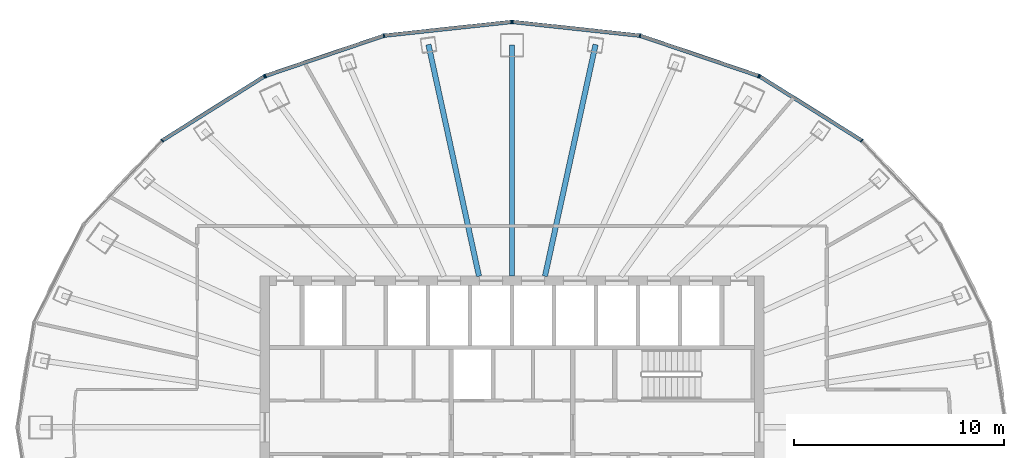
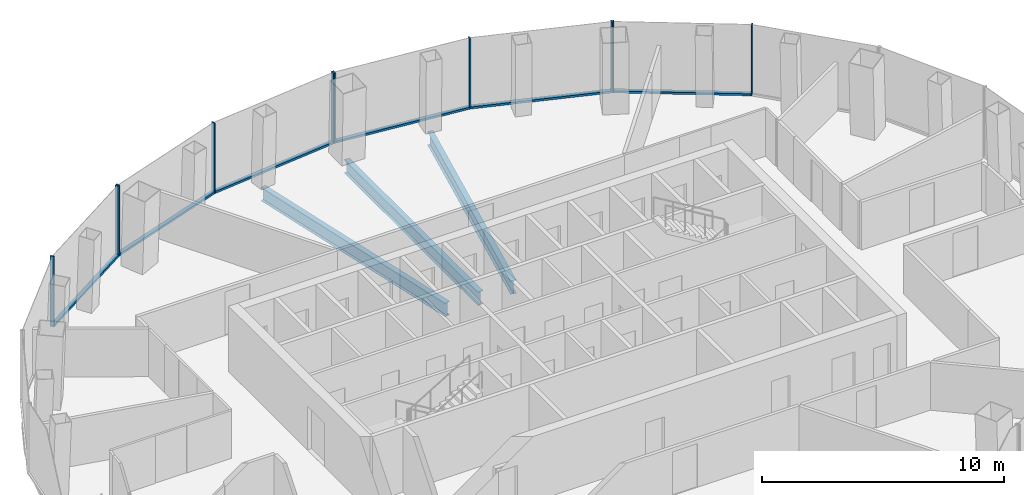
# One storey, part 7 of 13: 16 members, 3 beams, 4 elements without a shape of their own.
"""IFC4 building model written with IfcOpenShell, lengths in metres."""

from ifc_helpers import new_model, si_unit, direction, frame, origin, origin_2d, place, context, subcontext, project, spatial, rectangle, i_section, extrude, material, layer, layer_set, material_profile, profile_set, type_object, element, aggregate, save


model = new_model("IFC4")

# Units and contexts
model_context = context("Model", 3, precision=1e-05, world=origin(), true_north=direction((0.0, 1.0)))
body_context = subcontext(model_context, "Body", "Model", "MODEL_VIEW")
ifc_project = project(units=[si_unit("LENGTHUNIT", "METRE"), si_unit("AREAUNIT", "SQUARE_METRE"), si_unit("VOLUMEUNIT", "CUBIC_METRE"), si_unit("PLANEANGLEUNIT", "RADIAN"), si_unit("MASSUNIT", "GRAM", prefix="KILO")], contexts=[model_context])

# Site, building, storey
site_placement = place(None, origin())
site = spatial("IfcSite", under=ifc_project, at=site_placement, CompositionType="ELEMENT")
building_placement = place(site_placement, origin())
building = spatial("IfcBuilding", under=site, at=building_placement, Name="Siaravel Broadcast Tower", CompositionType="ELEMENT")
storey_placement = place(building_placement, frame((0.0, 0.0, 171.89990234375)))
storey = spatial("IfcBuildingStorey", under=building, at=storey_placement, Name="L41", CompositionType="ELEMENT", Elevation=171.89990234375)

# Beams
ifc_material_1 = material(Name="Steel S355", Category="steel")
ifc_material_profile_1 = material_profile(ifc_material_1, i_section(OverallWidth=0.2529296875, OverallDepth=0.677978515625, WebThickness=0.01171875, FlangeThickness=0.01611328125, FilletRadius=0.01513671875, at=origin_2d()))
ifc_profile_set_1 = profile_set([ifc_material_profile_1], Name="Steel S355")
beam_type = type_object("IfcBeamType", Name="BM-UB 686x254x125", PredefinedType="BEAM", material=ifc_profile_set_1)
beam_1_placement = place(storey_placement, frame((3.982421875, 18.23974609375, -0.489013671875), z_axis=(-0.21331219, -0.976984089, 0.0), x_axis=(0.976984089, -0.21331219, 0.0)))
element("IfcBeam", 1, at=beam_1_placement, inside=storey, type_object=beam_type, Name="Radial beam RB09", PredefinedType="BEAM", context=body_context, shape_type="SweptSolid", body=[
    extrude(i_section(OverallWidth=0.2529296875, OverallDepth=0.677978515625, WebThickness=0.01171875, FlangeThickness=0.01611328125, FilletRadius=0.01513671875, at=origin_2d()), origin(), (0.0, 0.0, 1.0), 11.2998046875),
])
beam_2_placement = place(storey_placement, frame((0.0, 18.22509765625, -0.489013671875), z_axis=(0.0, -1.0, 0.0), x_axis=(1.0, 0.0, 0.0)))
element("IfcBeam", 2, at=beam_2_placement, inside=storey, type_object=beam_type, Name="Radial beam RB10", PredefinedType="BEAM", context=body_context, shape_type="SweptSolid", body=[
    extrude(i_section(OverallWidth=0.2529296875, OverallDepth=0.677978515625, WebThickness=0.01171875, FlangeThickness=0.01611328125, FilletRadius=0.01513671875, at=origin_2d()), origin(), (0.0, 0.0, 1.0), 11.025146484375),
])
beam_3_placement = place(storey_placement, frame((-3.982421875, 18.23974609375, -0.489013671875), z_axis=(0.21331219, -0.976984089, 0.0), x_axis=(0.976984089, 0.21331219, 0.0)))
element("IfcBeam", 3, at=beam_3_placement, inside=storey, type_object=beam_type, Name="Radial beam RB11", PredefinedType="BEAM", context=body_context, shape_type="SweptSolid", body=[
    extrude(i_section(OverallWidth=0.2529296875, OverallDepth=0.677978515625, WebThickness=0.01171875, FlangeThickness=0.01611328125, FilletRadius=0.01513671875, at=origin_2d()), origin(), (0.0, 0.0, 1.0), 11.2998046875),
])

# Curtain wall, members
ifc_material_2 = material(Name="Aluminium 6063-T6", Category="aluminium")
ifc_layer = layer(ifc_material_2, 0.179931640625)
ifc_layer_set = layer_set([ifc_layer], Name="Aluminium 6063-T6")
curtain_wall_type = type_object("IfcCurtainWallType", Name="Unitised curtain wall, zone 3", PredefinedType="NOTDEFINED", material=ifc_layer_set)
curtain_wall_1_placement = place(storey_placement, origin())
curtain_wall_1 = element("IfcCurtainWall", 4, at=curtain_wall_1_placement, inside=storey, type_object=curtain_wall_type, Name="L41 Unitised curtain wall, zone 3 02", PredefinedType="NOTDEFINED")
ifc_material_profile_2 = material_profile(ifc_material_2, rectangle(XDim=0.179931640625, YDim=0.06005859375, at=origin_2d()))
ifc_profile_set_2 = profile_set([ifc_material_profile_2], Name="Aluminium 6063-T6")
member_type_1 = type_object("IfcMemberType", Name="CW-Z3 mullion", PredefinedType="MULLION", material=ifc_profile_set_2)
member_1_placement = place(storey_placement, frame((16.6689453125, 13.66650390625, 0.0), z_axis=(0.0, 0.0, 1.0), x_axis=(-0.63621823, -0.771509147, 0.0)))
member_1 = element("IfcMember", 5, at=member_1_placement, type_object=member_type_1, Name="CW-Z3 mullion 2", PredefinedType="MULLION", context=body_context, shape_type="SweptSolid", body=[
    extrude(rectangle(XDim=0.179931640625, YDim=0.06005859375, at=origin_2d()), origin(), (0.0, 0.0, 1.0), 3.550048828125),
])
member_2_placement = place(storey_placement, frame((11.81103515625, 16.7197265625, 0.0), z_axis=(0.0, 0.0, 1.0), x_axis=(-0.532148789, -0.846650852, 0.0)))
member_2 = element("IfcMember", 6, at=member_2_placement, type_object=member_type_1, Name="CW-Z3 mullion 3", PredefinedType="MULLION", context=body_context, shape_type="SweptSolid", body=[
    extrude(rectangle(XDim=0.179931640625, YDim=0.06005859375, at=origin_2d()), origin(), (0.0, 0.0, 1.0), 3.550048828125),
])

curtain_wall_2_placement = place(storey_placement, origin())
curtain_wall_2 = element("IfcCurtainWall", 7, at=curtain_wall_2_placement, inside=storey, type_object=curtain_wall_type, Name="L41 Unitised curtain wall, zone 3 03", PredefinedType="NOTDEFINED")
member_3_placement = place(storey_placement, frame((11.75732421875, 16.745361328125, 0.0), z_axis=(0.0, 0.0, 1.0), x_axis=(-0.321300283, -0.946977364, 0.0)))
member_3 = element("IfcMember", 8, at=member_3_placement, type_object=member_type_1, Name="CW-Z3 mullion 1", PredefinedType="MULLION", context=body_context, shape_type="SweptSolid", body=[
    extrude(rectangle(XDim=0.179931640625, YDim=0.06005859375, at=origin_2d()), origin(), (0.0, 0.0, 1.0), 3.550048828125),
])
member_4_placement = place(storey_placement, frame((6.100341796875, 18.664794921875, 0.0), z_axis=(0.0, 0.0, 1.0), x_axis=(-0.215557831, -0.976491076, 0.0)))
member_4 = element("IfcMember", 9, at=member_4_placement, type_object=member_type_1, Name="CW-Z3 mullion 2", PredefinedType="MULLION", context=body_context, shape_type="SweptSolid", body=[
    extrude(rectangle(XDim=0.179931640625, YDim=0.06005859375, at=origin_2d()), origin(), (0.0, 0.0, 1.0), 3.550048828125),
])
member_5_placement = place(storey_placement, frame((0.02978515625, 19.3193359375, 0.0), z_axis=(0.0, 0.0, 1.0), x_axis=(-0.107217362, -0.994235605, 0.0)))
member_5 = element("IfcMember", 10, at=member_5_placement, type_object=member_type_1, Name="CW-Z3 mullion 3", PredefinedType="MULLION", context=body_context, shape_type="SweptSolid", body=[
    extrude(rectangle(XDim=0.179931640625, YDim=0.06005859375, at=origin_2d()), origin(), (0.0, 0.0, 1.0), 3.550048828125),
])

curtain_wall_3_placement = place(storey_placement, origin())
curtain_wall_3 = element("IfcCurtainWall", 11, at=curtain_wall_3_placement, inside=storey, type_object=curtain_wall_type, Name="L41 Unitised curtain wall, zone 3 04", PredefinedType="NOTDEFINED")
member_6_placement = place(storey_placement, frame((-0.02978515625, 19.3193359375, 0.0), z_axis=(0.0, 0.0, 1.0), x_axis=(0.107217362, -0.994235605, 0.0)))
member_6 = element("IfcMember", 12, at=member_6_placement, type_object=member_type_1, Name="CW-Z3 mullion 1", PredefinedType="MULLION", context=body_context, shape_type="SweptSolid", body=[
    extrude(rectangle(XDim=0.179931640625, YDim=0.06005859375, at=origin_2d()), origin(), (0.0, 0.0, 1.0), 3.550048828125),
])
member_7_placement = place(storey_placement, frame((-6.100341796875, 18.664794921875, 0.0), z_axis=(0.0, 0.0, 1.0), x_axis=(0.215557831, -0.976491076, 0.0)))
member_7 = element("IfcMember", 13, at=member_7_placement, type_object=member_type_1, Name="CW-Z3 mullion 2", PredefinedType="MULLION", context=body_context, shape_type="SweptSolid", body=[
    extrude(rectangle(XDim=0.179931640625, YDim=0.06005859375, at=origin_2d()), origin(), (0.0, 0.0, 1.0), 3.550048828125),
])
member_8_placement = place(storey_placement, frame((-11.75732421875, 16.745361328125, 0.0), z_axis=(0.0, 0.0, 1.0), x_axis=(0.321300283, -0.946977364, 0.0)))
member_8 = element("IfcMember", 14, at=member_8_placement, type_object=member_type_1, Name="CW-Z3 mullion 3", PredefinedType="MULLION", context=body_context, shape_type="SweptSolid", body=[
    extrude(rectangle(XDim=0.179931640625, YDim=0.06005859375, at=origin_2d()), origin(), (0.0, 0.0, 1.0), 3.550048828125),
])

curtain_wall_4_placement = place(storey_placement, origin())
curtain_wall_4 = element("IfcCurtainWall", 15, at=curtain_wall_4_placement, inside=storey, type_object=curtain_wall_type, Name="L41 Unitised curtain wall, zone 3 05", PredefinedType="NOTDEFINED")
member_9_placement = place(storey_placement, frame((-11.81103515625, 16.7197265625, 0.0), z_axis=(0.0, 0.0, 1.0), x_axis=(0.532148789, -0.846650852, 0.0)))
member_9 = element("IfcMember", 16, at=member_9_placement, type_object=member_type_1, Name="CW-Z3 mullion 1", PredefinedType="MULLION", context=body_context, shape_type="SweptSolid", body=[
    extrude(rectangle(XDim=0.179931640625, YDim=0.06005859375, at=origin_2d()), origin(), (0.0, 0.0, 1.0), 3.550048828125),
])
member_10_placement = place(storey_placement, frame((-16.6689453125, 13.66650390625, 0.0), z_axis=(0.0, 0.0, 1.0), x_axis=(0.63621823, -0.771509147, 0.0)))
member_10 = element("IfcMember", 17, at=member_10_placement, type_object=member_type_1, Name="CW-Z3 mullion 2", PredefinedType="MULLION", context=body_context, shape_type="SweptSolid", body=[
    extrude(rectangle(XDim=0.179931640625, YDim=0.06005859375, at=origin_2d()), origin(), (0.0, 0.0, 1.0), 3.550048828125),
])

# Member
ifc_material_profile_3 = material_profile(ifc_material_2, rectangle(XDim=0.179931640625, YDim=0.10009765625, at=origin_2d()))
ifc_profile_set_3 = profile_set([ifc_material_profile_3], Name="Aluminium 6063-T6")
member_type_2 = type_object("IfcMemberType", Name="CW-Z3 transom", PredefinedType="USERDEFINED", material=ifc_profile_set_3)
member_11_placement = place(storey_placement, frame((16.6435546875, 13.682373046875, 0.050048828125), z_axis=(-0.84664762, 0.532153933, 0.0), x_axis=(-0.532153933, -0.84664762, 0.0)))
member_11 = element("IfcMember", 18, at=member_11_placement, type_object=member_type_2, Name="CW-Z3 transom 2", ObjectType="TRANSOM", PredefinedType="USERDEFINED", context=body_context, shape_type="SweptSolid", body=[
    extrude(rectangle(XDim=0.179931640625, YDim=0.10009765625, at=origin_2d()), origin(), (0.0, 0.0, 1.0), 5.677734375),
])

aggregate(curtain_wall_1, [member_1, member_2, member_11])

member_12_placement = place(storey_placement, frame((11.72900390625, 16.7548828125, 0.050048828125), z_axis=(-0.946972868, 0.321313534, 0.0), x_axis=(-0.321313534, -0.946972868, 0.0)))
member_12 = element("IfcMember", 19, at=member_12_placement, type_object=member_type_2, Name="CW-Z3 transom 1", ObjectType="TRANSOM", PredefinedType="USERDEFINED", context=body_context, shape_type="SweptSolid", body=[
    extrude(rectangle(XDim=0.179931640625, YDim=0.10009765625, at=origin_2d()), origin(), (0.0, 0.0, 1.0), 5.91357421875),
])

member_13_placement = place(storey_placement, frame((6.070556640625, 18.66796875, 0.050048828125), z_axis=(-0.994235587, 0.107217526, 0.0), x_axis=(-0.107217526, -0.994235587, 0.0)))
member_13 = element("IfcMember", 20, at=member_13_placement, type_object=member_type_2, Name="CW-Z3 transom 2", ObjectType="TRANSOM", PredefinedType="USERDEFINED", context=body_context, shape_type="SweptSolid", body=[
    extrude(rectangle(XDim=0.179931640625, YDim=0.10009765625, at=origin_2d()), origin(), (0.0, 0.0, 1.0), 6.045654296875),
])

aggregate(curtain_wall_2, [member_3, member_4, member_5, member_12, member_13])

member_14_placement = place(storey_placement, frame((-0.059814453125, 19.316162109375, 0.050048828125), z_axis=(-0.994235587, -0.107217526, 0.0), x_axis=(0.107217526, -0.994235587, 0.0)))
member_14 = element("IfcMember", 21, at=member_14_placement, type_object=member_type_2, Name="CW-Z3 transom 1", ObjectType="TRANSOM", PredefinedType="USERDEFINED", context=body_context, shape_type="SweptSolid", body=[
    extrude(rectangle(XDim=0.179931640625, YDim=0.10009765625, at=origin_2d()), origin(), (0.0, 0.0, 1.0), 6.045654296875),
])

member_15_placement = place(storey_placement, frame((-6.12890625, 18.655029296875, 0.050048828125), z_axis=(-0.946972868, -0.321313534, 0.0), x_axis=(0.321313534, -0.946972868, 0.0)))
member_15 = element("IfcMember", 22, at=member_15_placement, type_object=member_type_2, Name="CW-Z3 transom 2", ObjectType="TRANSOM", PredefinedType="USERDEFINED", context=body_context, shape_type="SweptSolid", body=[
    extrude(rectangle(XDim=0.179931640625, YDim=0.10009765625, at=origin_2d()), origin(), (0.0, 0.0, 1.0), 5.91357421875),
])

aggregate(curtain_wall_3, [member_6, member_7, member_8, member_14, member_15])

member_16_placement = place(storey_placement, frame((-11.83642578125, 16.703857421875, 0.050048828125), z_axis=(-0.84664762, -0.532153933, 0.0), x_axis=(0.532153933, -0.84664762, 0.0)))
member_16 = element("IfcMember", 23, at=member_16_placement, type_object=member_type_2, Name="CW-Z3 transom 1", ObjectType="TRANSOM", PredefinedType="USERDEFINED", context=body_context, shape_type="SweptSolid", body=[
    extrude(rectangle(XDim=0.179931640625, YDim=0.10009765625, at=origin_2d()), origin(), (0.0, 0.0, 1.0), 5.677734375),
])

aggregate(curtain_wall_4, [member_9, member_10, member_16])

save(model, "model.ifc")
